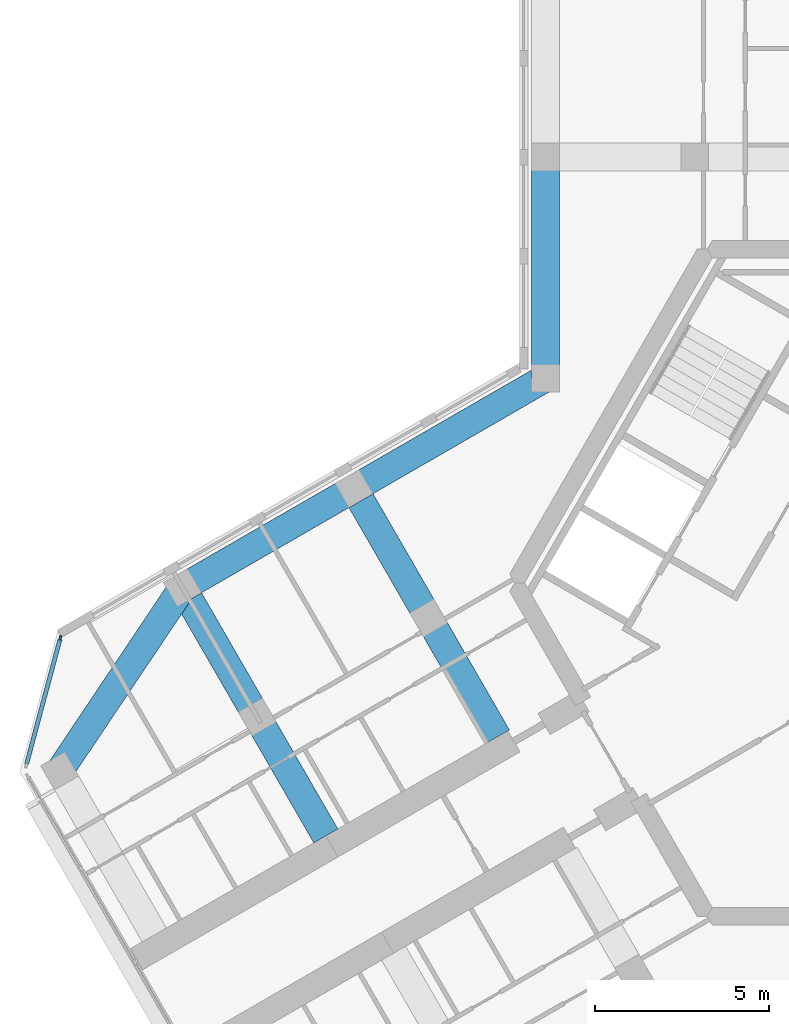
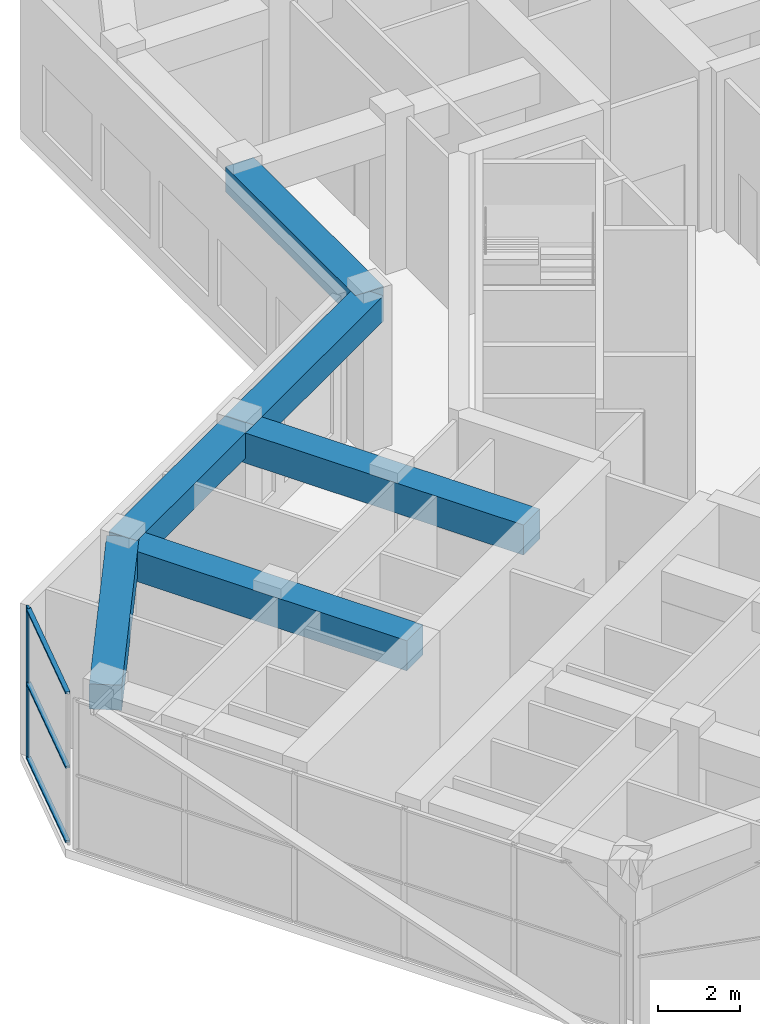
# One storey, part 3 of 14: 6 beams, 4 members, 1 element without a shape of its own.
"""IFC4 building model written with IfcOpenShell, lengths in metres."""

from ifc_helpers import new_model, si_unit, direction, frame, origin, origin_2d, place, context, subcontext, project, spatial, rectangle, extrude, material, material_profile, profile_set, type_object, element, aggregate, save


model = new_model("IFC4")

# Units and contexts
model_context = context("Model", 3, precision=1e-05, world=origin(), true_north=direction((0.0, 1.0)))
body_context = subcontext(model_context, "Body", "Model", "MODEL_VIEW")
ifc_project = project(units=[si_unit("LENGTHUNIT", "METRE"), si_unit("AREAUNIT", "SQUARE_METRE"), si_unit("VOLUMEUNIT", "CUBIC_METRE"), si_unit("PLANEANGLEUNIT", "RADIAN"), si_unit("MASSUNIT", "GRAM", prefix="KILO")], contexts=[model_context])

# Site, building, storey
site_placement = place(None, origin())
site = spatial("IfcSite", under=ifc_project, at=site_placement, CompositionType="ELEMENT")
building_placement = place(site_placement, origin())
building = spatial("IfcBuilding", under=site, at=building_placement, Name="Kosmar Iwan School Tower", CompositionType="ELEMENT")
storey_placement = place(building_placement, frame((0.0, 0.0, 296.199951171875)))
storey = spatial("IfcBuildingStorey", under=building, at=storey_placement, Name="L75", CompositionType="ELEMENT", Elevation=296.199951171875)

# Curtain wall, member
ifc_material_1 = material(Name="Dark glass in black aluminium frame", Category="aluminium")
curtain_wall_type = type_object("IfcCurtainWallType", Name="Top floor curtain wall", PredefinedType="USERDEFINED", material=ifc_material_1)
curtain_wall_placement = place(storey_placement, origin())
curtain_wall = element("IfcCurtainWall", 1, at=curtain_wall_placement, inside=storey, type_object=curtain_wall_type, Name="Curtain wall L75-F12", ObjectType="FULL HEIGHT CURTAIN WALL", PredefinedType="USERDEFINED")
ifc_material_2 = material(Name="Black anodised aluminium", Category="aluminium")
ifc_material_profile_1 = material_profile(ifc_material_2, rectangle(XDim=0.06005859375, YDim=0.159912109375, at=origin_2d()), Name="MULLION 60x160")
ifc_profile_set_1 = profile_set([ifc_material_profile_1], Name="Black anodised aluminium")
member_type_1 = type_object("IfcMemberType", Name="Mullion 60x160", PredefinedType="MULLION", material=ifc_profile_set_1)
member_1_placement = place(storey_placement, frame((-24.163818359375, -1.59814453125, 0.0), z_axis=(0.0, 0.0, 1.0), x_axis=(0.965925875495, -0.258818861462, 0.0)))
member_1 = element("IfcMember", 2, at=member_1_placement, type_object=member_type_1, Name="CW5 mullion 1", PredefinedType="MULLION", context=body_context, shape_type="SweptSolid", body=[
    extrude(rectangle(XDim=0.06005859375, YDim=0.159912109375, at=origin_2d()), origin(), (0.0, 0.0, 1.0), 4.5),
])

# Beams
ifc_material_3 = material(Name="Concrete C50/60", Category="concrete")
ifc_material_profile_2 = material_profile(ifc_material_3, rectangle(XDim=0.800048828125, YDim=0.75, at=origin_2d()), Name="RC 800x750")
ifc_profile_set_2 = profile_set([ifc_material_profile_2], Name="Concrete C50/60")
beam_type_1 = type_object("IfcBeamType", Name="RC edge beam 800x750", PredefinedType="BEAM", material=ifc_profile_set_2)
beam_1_placement = place(storey_placement, frame((-10.199951171875, 5.888916015625, 4.125), z_axis=(0.0, 1.0, 0.0), x_axis=(-1.0, 0.0, 0.0)))
element("IfcBeam", 3, at=beam_1_placement, inside=storey, type_object=beam_type_1, Name="Edge beam AL1", PredefinedType="BEAM", context=body_context, shape_type="SweptSolid", body=[
    extrude(rectangle(XDim=0.800048828125, YDim=0.75, at=origin_2d()), origin(), (0.0, 0.0, 1.0), 6.361083984375),
])
beam_2_placement = place(storey_placement, frame((-10.199951171875, 5.888916015625, 4.125), z_axis=(-0.866030912664, -0.49999045822, 0.0), x_axis=(0.49999045822, -0.866030912664, 0.0)))
element("IfcBeam", 4, at=beam_2_placement, inside=storey, type_object=beam_type_1, Name="Edge beam BR1", PredefinedType="BEAM", context=body_context, shape_type="SweptSolid", body=[
    extrude(rectangle(XDim=0.800048828125, YDim=0.75, at=origin_2d()), origin(), (0.0, 0.0, 1.0), 6.36083984375),
])
beam_3_placement = place(storey_placement, frame((-15.708740234375, 2.70849609375, 4.125), z_axis=(-0.866025820012, -0.499999279071, 0.0), x_axis=(0.499999279071, -0.866025820012, 0.0)))
element("IfcBeam", 5, at=beam_3_placement, inside=storey, type_object=beam_type_1, Name="Edge beam BR2", PredefinedType="BEAM", context=body_context, shape_type="SweptSolid", body=[
    extrude(rectangle(XDim=0.800048828125, YDim=0.75, at=origin_2d()), origin(), (0.0, 0.0, 1.0), 5.7001953125),
])
ifc_material_4 = material(Name="Concrete C50/60", Category="concrete")
ifc_material_profile_3 = material_profile(ifc_material_4, rectangle(XDim=0.800048828125, YDim=0.75, at=origin_2d()), Name="RC 800x750")
ifc_profile_set_3 = profile_set([ifc_material_profile_3], Name="Concrete C50/60")
beam_type_2 = type_object("IfcBeamType", Name="RC tip beam 800x750", PredefinedType="BEAM", material=ifc_profile_set_3)
beam_4_placement = place(storey_placement, frame((-20.645263671875, -0.1416015625, 4.125), z_axis=(-0.556827604145, -0.83062808721, 0.0), x_axis=(0.83062808721, -0.556827604145, 0.0)))
element("IfcBeam", 6, at=beam_4_placement, inside=storey, type_object=beam_type_2, Name="Tip beam BR", PredefinedType="BEAM", context=body_context, shape_type="SweptSolid", body=[
    extrude(rectangle(XDim=0.800048828125, YDim=0.75, at=origin_2d()), origin(), (0.0, 0.0, 1.0), 6.3505859375),
])
ifc_material_5 = material(Name="Concrete C50/60", Category="concrete")
ifc_material_profile_4 = material_profile(ifc_material_5, rectangle(XDim=0.800048828125, YDim=0.89990234375, at=origin_2d()), Name="RC 800x900")
ifc_profile_set_4 = profile_set([ifc_material_profile_4], Name="Concrete C50/60")
beam_type_3 = type_object("IfcBeamType", Name="RC transverse beam 800x900", PredefinedType="BEAM", material=ifc_profile_set_4)
beam_5_placement = place(storey_placement, frame((-15.708740234375, 2.70849609375, 4.050048828125), z_axis=(0.499996545922, -0.866027397988, 0.0), x_axis=(0.866027397988, 0.499996545922, 0.0)))
element("IfcBeam", 7, at=beam_5_placement, inside=storey, type_object=beam_type_3, Name="Transverse beam BR1", PredefinedType="BEAM", context=body_context, shape_type="SweptSolid", body=[
    extrude(rectangle(XDim=0.800048828125, YDim=0.89990234375, at=origin_2d()), origin(), (0.0, 0.0, 1.0), 8.25),
])
beam_6_placement = place(storey_placement, frame((-20.645263671875, -0.1416015625, 4.050048828125), z_axis=(0.500009360108, -0.866019999656, 0.0), x_axis=(0.866019999656, 0.500009360108, 0.0)))
element("IfcBeam", 8, at=beam_6_placement, inside=storey, type_object=beam_type_3, Name="Transverse beam BR2", PredefinedType="BEAM", context=body_context, shape_type="SweptSolid", body=[
    extrude(rectangle(XDim=0.800048828125, YDim=0.89990234375, at=origin_2d()), origin(), (0.0, 0.0, 1.0), 8.249755859375),
])

# Member
ifc_material_6 = material(Name="Black anodised aluminium", Category="aluminium")
ifc_material_profile_5 = material_profile(ifc_material_6, rectangle(XDim=0.1201171875, YDim=0.06005859375, at=origin_2d()), Name="TRANSOM 60x120")
ifc_profile_set_5 = profile_set([ifc_material_profile_5], Name="Black anodised aluminium")
member_type_2 = type_object("IfcMemberType", Name="Transom 60x120", PredefinedType="USERDEFINED", material=ifc_profile_set_5)
member_2_placement = place(storey_placement, frame((-24.17138671875, -1.627197265625, 0.030029296875), z_axis=(-0.258843273983, -0.965919333854, 0.0), x_axis=(0.965919333854, -0.258843273983, 0.0)))
member_2 = element("IfcMember", 9, at=member_2_placement, type_object=member_type_2, Name="CW5 transom 1.1", ObjectType="TRANSOM", PredefinedType="USERDEFINED", context=body_context, shape_type="SweptSolid", body=[
    extrude(rectangle(XDim=0.1201171875, YDim=0.06005859375, at=origin_2d()), origin(), (0.0, 0.0, 1.0), 3.718994140625),
])

member_3_placement = place(storey_placement, frame((-24.17138671875, -1.627197265625, 2.25), z_axis=(-0.258843273983, -0.965919333854, 0.0), x_axis=(0.965919333854, -0.258843273983, 0.0)))
member_3 = element("IfcMember", 10, at=member_3_placement, type_object=member_type_2, Name="CW5 transom 1.2", ObjectType="TRANSOM", PredefinedType="USERDEFINED", context=body_context, shape_type="SweptSolid", body=[
    extrude(rectangle(XDim=0.1201171875, YDim=0.06005859375, at=origin_2d()), origin(), (0.0, 0.0, 1.0), 3.718994140625),
])

member_4_placement = place(storey_placement, frame((-24.17138671875, -1.627197265625, 4.469970703125), z_axis=(-0.258843273983, -0.965919333854, 0.0), x_axis=(0.965919333854, -0.258843273983, 0.0)))
member_4 = element("IfcMember", 11, at=member_4_placement, type_object=member_type_2, Name="CW5 transom 1.3", ObjectType="TRANSOM", PredefinedType="USERDEFINED", context=body_context, shape_type="SweptSolid", body=[
    extrude(rectangle(XDim=0.1201171875, YDim=0.06005859375, at=origin_2d()), origin(), (0.0, 0.0, 1.0), 3.718994140625),
])

aggregate(curtain_wall, [member_1, member_2, member_3, member_4])

save(model, "model.ifc")
